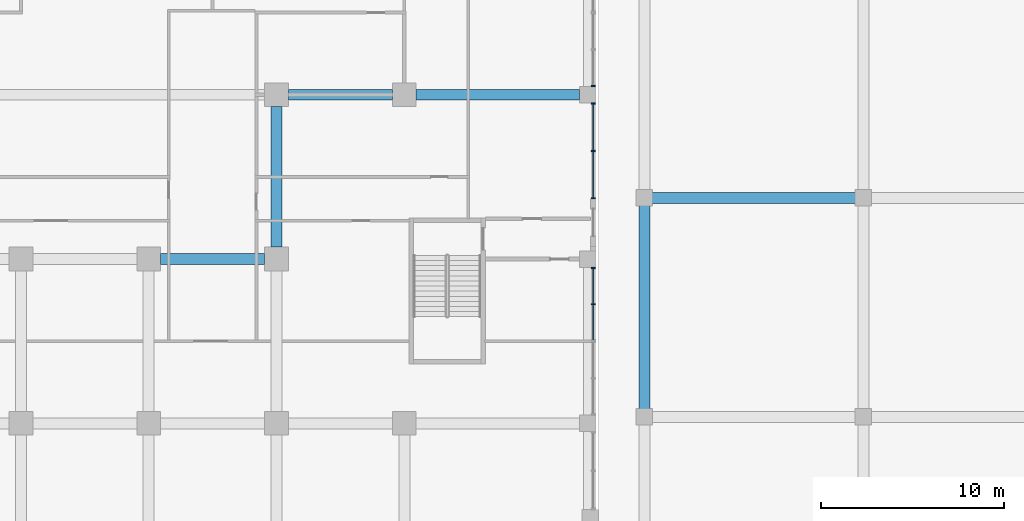
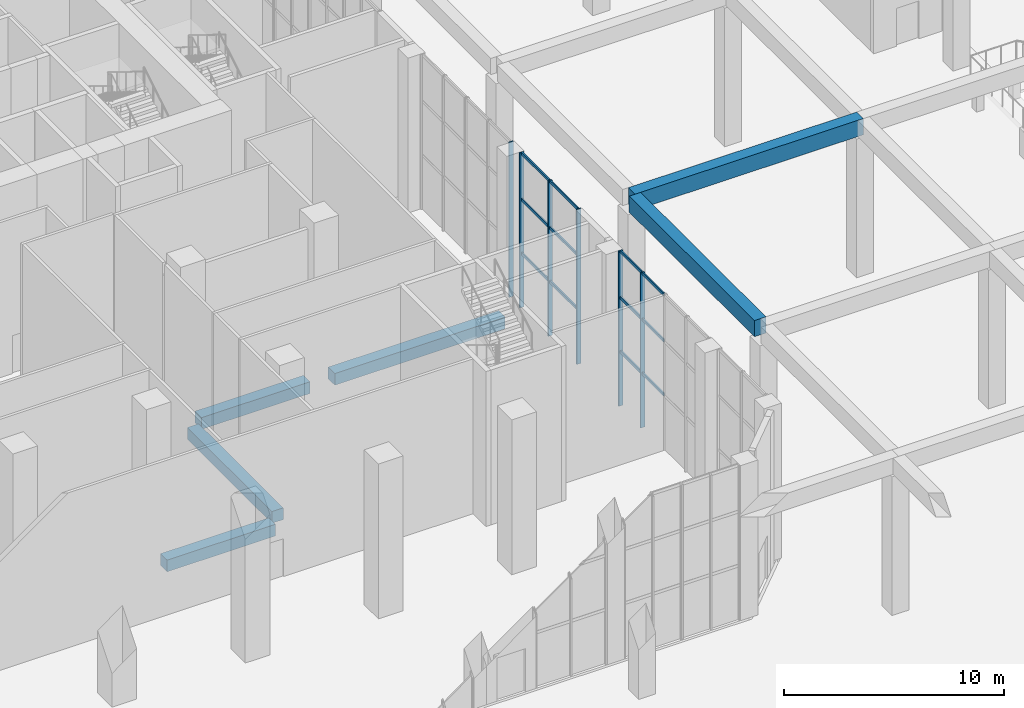
# One storey, part 8 of 43: 18 members, 6 beams, 3 elements without a shape of their own.
"""IFC4 building model written with IfcOpenShell, lengths in metres."""

import ifcopenshell
import ifcopenshell.guid

model = None  # the IFC model being written
_history = None  # IfcOwnerHistory: only IFC2X3 demands one
_inside = {}  # id of a spatial element -> (the spatial element, [elements in it])
_under = {}  # id of a project, library or spatial element -> (it, [spatial elements below it])
_declared = {}  # id of a project -> (the project, [libraries it declares])
_typed = {}  # id of a type object -> (the type object, [elements of that type])
_made_of = {}  # id of a material, layer set ... -> (it, [elements and type objects made of it])


def new_model(schema):
    """Start an empty IFC model of exactly this schema.

    Asked for "IFC4X3", IfcOpenShell would pick the latest addendum, in which some entities
    have other attributes; the version numbers below select the first issue.
    IFC2X3 requires an IfcOwnerHistory on every rooted entity: one is made here for all.
    """
    global model, _history
    if schema == "IFC4X3":
        model = ifcopenshell.file(schema_version=(4, 3, 0, 0))
    else:
        model = ifcopenshell.file(schema=schema)
    _inside.clear()
    _under.clear()
    _declared.clear()
    _typed.clear()
    _made_of.clear()
    _history = None
    if model.schema == "IFC2X3":
        org = make("IfcOrganization", Name="unknown")
        user = make(
            "IfcPersonAndOrganization",
            ThePerson=make("IfcPerson", FamilyName="unknown"),
            TheOrganization=org,
        )
        app = make(
            "IfcApplication",
            ApplicationDeveloper=org,
            Version="unknown",
            ApplicationFullName="unknown",
            ApplicationIdentifier="unknown",
        )
        _history = make(
            "IfcOwnerHistory",
            OwningUser=user,
            OwningApplication=app,
            ChangeAction="ADDED",
            CreationDate=0,
        )
    return model


def make(cls, **values):
    """One entity of the class cls with the attributes given. An attribute that is None is left unset."""
    return model.create_entity(
        cls, **{name: value for name, value in values.items() if value is not None}
    )


def rooted(cls, **values):
    """An entity with a GlobalId (a new one), such as an element, a storey or a relation."""
    return make(cls, GlobalId=ifcopenshell.guid.new(), OwnerHistory=_history, **values)


def si_unit(unit_type, name, prefix=None):
    """IfcSIUnit, for example si_unit("LENGTHUNIT", "METRE", prefix="MILLI")."""
    return make("IfcSIUnit", UnitType=unit_type, Prefix=prefix, Name=name)


def assignment(units):
    """IfcUnitAssignment: the units of a project."""
    return None if units is None else make("IfcUnitAssignment", Units=units)


def point(xyz):
    """IfcCartesianPoint."""
    return None if xyz is None else make("IfcCartesianPoint", Coordinates=xyz)


def direction(xyz):
    """IfcDirection."""
    return None if xyz is None else make("IfcDirection", DirectionRatios=xyz)


def frame(location, z_axis=None, x_axis=None):
    """IfcAxis2Placement3D, a coordinate frame: its origin and axes. An axis left out is left unset."""
    return make(
        "IfcAxis2Placement3D",
        Location=point(location),
        Axis=direction(z_axis),
        RefDirection=direction(x_axis),
    )


def frame_2d(location, x_axis=None):
    """IfcAxis2Placement2D, a coordinate frame in the plane: its origin and x axis."""
    return make(
        "IfcAxis2Placement2D", Location=point(location), RefDirection=direction(x_axis)
    )


def origin():
    """The frame at (0, 0, 0) with its axes left unset."""
    return frame((0.0, 0.0, 0.0))


def origin_2d():
    """The frame at (0, 0) in the plane with its x axis left unset."""
    return frame_2d((0.0, 0.0))


def place(relative_to, where):
    """IfcLocalPlacement: puts the frame where relative to a parent placement (None: the world)."""
    return make(
        "IfcLocalPlacement", PlacementRelTo=relative_to, RelativePlacement=where
    )


def context(
    kind, dimensions, precision=None, world=None, true_north=None, identifier=None
):
    """IfcGeometricRepresentationContext, for example the 3D "Model" context."""
    return make(
        "IfcGeometricRepresentationContext",
        ContextIdentifier=identifier,
        ContextType=kind,
        CoordinateSpaceDimension=dimensions,
        Precision=precision,
        WorldCoordinateSystem=world,
        TrueNorth=true_north,
    )


def subcontext(parent, identifier, kind, view, scale=None):
    """IfcGeometricRepresentationSubContext, for example "Body" below "Model"."""
    return make(
        "IfcGeometricRepresentationSubContext",
        ContextIdentifier=identifier,
        ContextType=kind,
        ParentContext=parent,
        TargetScale=scale,
        TargetView=view,
    )


def project(units=None, contexts=None):
    """IfcProject with its units and contexts."""
    return rooted(
        "IfcProject",
        Name="project",
        RepresentationContexts=contexts,
        UnitsInContext=assignment(units),
    )


def spatial(cls, under=None, at=None, **own):
    """A site, building, storey or space (cls), placed at a placement, below another one or the project."""
    s = rooted(cls, ObjectPlacement=at, **own)
    if under is not None:
        _under.setdefault(under.id(), (under, []))[1].append(s)
    return s


def profile(cls, at=None, kind="AREA", **sizes):
    """A parametric profile (cls). Its sizes go by their IFC names, for example OverallWidth=200.0."""
    return make(cls, ProfileType=kind, Position=at, **sizes)


def rectangle(**sizes):
    """IfcRectangleProfileDef."""
    return profile("IfcRectangleProfileDef", **sizes)


def extrude(swept, where, along, depth):
    """IfcExtrudedAreaSolid: the profile swept, set in the frame where, extruded along a direction by depth."""
    return make(
        "IfcExtrudedAreaSolid",
        SweptArea=swept,
        Position=where,
        ExtrudedDirection=direction(along),
        Depth=depth,
    )


def shape(context_of_items, identifier, shape_type, items):
    """IfcShapeRepresentation: the items that make up one representation, for example the "Body"."""
    return make(
        "IfcShapeRepresentation",
        ContextOfItems=context_of_items,
        RepresentationIdentifier=identifier,
        RepresentationType=shape_type,
        Items=items,
    )


def source(mapping_origin, context_of_items, identifier, shape_type, items):
    """IfcRepresentationMap: a shape defined once, which mapped items show again and again."""
    return make(
        "IfcRepresentationMap",
        MappingOrigin=mapping_origin,
        MappedRepresentation=shape(context_of_items, identifier, shape_type, items),
    )


def transform(
    local_origin,
    x_axis=None,
    y_axis=None,
    z_axis=None,
    scale=None,
    scale2=None,
    scale3=None,
    uniform=True,
):
    """IfcCartesianTransformationOperator3D, or its non-uniform kind. x_axis, y_axis, z_axis: its Axis1, 2, 3."""
    if uniform:
        return make(
            "IfcCartesianTransformationOperator3D",
            Axis1=direction(x_axis),
            Axis2=direction(y_axis),
            LocalOrigin=point(local_origin),
            Scale=scale,
            Axis3=direction(z_axis),
        )
    return make(
        "IfcCartesianTransformationOperator3DnonUniform",
        Axis1=direction(x_axis),
        Axis2=direction(y_axis),
        LocalOrigin=point(local_origin),
        Scale=scale,
        Axis3=direction(z_axis),
        Scale2=scale2,
        Scale3=scale3,
    )


def mapped(mapping_source, mapping_target):
    """IfcMappedItem: shows the shape of a source again, moved by a transform."""
    return make(
        "IfcMappedItem", MappingSource=mapping_source, MappingTarget=mapping_target
    )


def material(Name=None, Category=None):
    """IfcMaterial."""
    return make("IfcMaterial", Name=Name, Category=Category)


def material_profile(
    of_material, cross_section, Name=None, Category=None, Priority=None
):
    """IfcMaterialProfile: a cross section and its material."""
    return make(
        "IfcMaterialProfile",
        Name=Name,
        Material=of_material,
        Profile=cross_section,
        Priority=Priority,
        Category=Category,
    )


def profile_set(profiles, Name=None, composite=None):
    """IfcMaterialProfileSet."""
    return make(
        "IfcMaterialProfileSet",
        Name=Name,
        MaterialProfiles=profiles,
        CompositeProfile=composite,
    )


def made_of(thing, what):
    """Note that an element or type object is made of a material, layer set ...; save() writes the relation."""
    if what is not None:
        _made_of.setdefault(what.id(), (what, []))[1].append(thing)
    return thing


def type_object(cls, material=None, **own):
    """A type object (cls), such as IfcWallType, which elements share."""
    return made_of(rooted(cls, **own), material)


def element(
    cls,
    number,
    at=None,
    inside=None,
    cuts=None,
    type_object=None,
    material=None,
    context=None,
    identifier="Body",
    shape_type=None,
    held_by="IfcProductDefinitionShape",
    body=None,
    shapes=None,
    **own,
):
    """One element of the class cls, such as IfcWall. Its Tag is "e" and its number.

    at: its placement. inside: the storey or other place that contains it. cuts: it is an
    opening in that element (IfcRelVoidsElement). A single representation is given by context,
    identifier, shape_type and body (its items); several are given by shapes. held_by: the class
    of the entity that holds the representations. save() writes the other relations.
    """
    e = rooted(cls, Tag="e%d" % number, ObjectPlacement=at, **own)
    if body is not None:
        shapes = [shape(context, identifier, shape_type, body)]
    if shapes is not None:
        e.Representation = make(held_by, Representations=shapes)
    if inside is not None:
        _inside.setdefault(inside.id(), (inside, []))[1].append(e)
    if cuts is not None:
        rooted(
            "IfcRelVoidsElement", RelatingBuildingElement=cuts, RelatedOpeningElement=e
        )
    if type_object is not None:
        _typed.setdefault(type_object.id(), (type_object, []))[1].append(e)
    return made_of(e, material)


def aggregate(whole, parts):
    """IfcRelAggregates: a whole, such as a stair, and the parts it consists of."""
    return rooted("IfcRelAggregates", RelatingObject=whole, RelatedObjects=parts)


def save(model, path):
    """Write the relations noted so far, then the file.

    IfcRelAggregates (storeys below a building ...), IfcRelContainedInSpatialStructure (elements
    in a storey), IfcRelDefinesByType, IfcRelAssociatesMaterial and IfcRelDeclares: one each for
    every whole, place, type object, material and project.
    """
    for whole, parts in _under.values():
        aggregate(whole, parts)
    for where, things in _inside.values():
        rooted(
            "IfcRelContainedInSpatialStructure",
            RelatedElements=things,
            RelatingStructure=where,
        )
    for kind, things in _typed.values():
        rooted("IfcRelDefinesByType", RelatedObjects=things, RelatingType=kind)
    for what, things in _made_of.values():
        rooted("IfcRelAssociatesMaterial", RelatedObjects=things, RelatingMaterial=what)
    for by, libraries in _declared.values():
        rooted("IfcRelDeclares", RelatingContext=by, RelatedDefinitions=libraries)
    model.write(path)


model = new_model("IFC4")

# Units and contexts
model_context = context("Model", 3, precision=1e-05, world=origin(), true_north=direction((0.0, 1.0)))
body_context = subcontext(model_context, "Body", "Model", "MODEL_VIEW")
ifc_project = project(units=[si_unit("LENGTHUNIT", "METRE"), si_unit("AREAUNIT", "SQUARE_METRE"), si_unit("VOLUMEUNIT", "CUBIC_METRE"), si_unit("PLANEANGLEUNIT", "RADIAN"), si_unit("MASSUNIT", "GRAM", prefix="KILO")], contexts=[model_context])

# Site, building, storey
site_placement = place(None, origin())
site = spatial("IfcSite", under=ifc_project, at=site_placement, CompositionType="ELEMENT")
building_placement = place(site_placement, origin())
building = spatial("IfcBuilding", under=site, at=building_placement, Name="Kilnfold Tower and Market Hall", CompositionType="ELEMENT")
storey_placement = place(building_placement, origin())
storey = spatial("IfcBuildingStorey", under=building, at=storey_placement, Name="L00", CompositionType="ELEMENT", Elevation=0.0)

# Beams
ifc_material_1 = material(Name="Concrete C45", Category="concrete")
ifc_material_profile_1 = material_profile(ifc_material_1, rectangle(XDim=0.60009765625, YDim=0.64990234375, at=origin_2d()), Name="RC 600x650")
ifc_profile_set_1 = profile_set([ifc_material_profile_1], Name="Concrete C45")
beam_type_1 = type_object("IfcBeamType", Name="BEAM 600X650 C45", PredefinedType="BEAM", material=ifc_profile_set_1)
shared_shape_1 = source(origin(), body_context, "Body", "SweptSolid", [
    extrude(rectangle(XDim=0.60009765625, YDim=0.64990234375, at=origin_2d()), origin(), (0.0, 0.0, 1.0), 8.9501953125),
])
beam_1_placement = place(storey_placement, frame((18.14990234375, -1.0, -0.735107421875), z_axis=(1.0, 0.0, 0.0), x_axis=(0.0, 1.0, 0.0)))
element("IfcBeam", 1, at=beam_1_placement, inside=storey, type_object=beam_type_1, Name="Beam BB650-B1.20", PredefinedType="BEAM", context=body_context, shape_type="MappedRepresentation", body=[
    mapped(shared_shape_1, transform((0.0, 0.0, 0.0))),
])
shared_shape_2 = source(origin(), body_context, "Body", "SweptSolid", [
    extrude(rectangle(XDim=0.60009765625, YDim=0.64990234375, at=origin_2d()), origin(), (0.0, 0.0, 1.0), 5.7001953125),
])
for number, where, z_axis, x_axis, name in (
    (2, (4.14990234375, -10.0, -0.735107421875), (1.0, 0.0, 0.0), (0.0, 1.0, 0.0), "Beam BB650-B1.15"),
    (3, (11.14990234375, -1.0, -0.735107421875), (1.0, 0.0, 0.0), (0.0, 1.0, 0.0), "Beam BB650-B1.19"),
):
    element("IfcBeam", number, at=place(storey_placement, frame(where, z_axis=z_axis, x_axis=x_axis)), inside=storey, type_object=beam_type_1, Name=name, PredefinedType="BEAM", context=body_context, shape_type="MappedRepresentation", body=[
        mapped(shared_shape_2, transform((0.0, 0.0, 0.0))),
    ])
shared_shape_3 = source(origin(), body_context, "Body", "SweptSolid", [
    extrude(rectangle(XDim=0.60009765625, YDim=0.64990234375, at=origin_2d()), origin(), (0.0, 0.0, 1.0), 7.7001953125),
])
beam_2_placement = place(storey_placement, frame((10.5, -9.35009765625, -0.735107421875), z_axis=(0.0, 1.0, 0.0), x_axis=(-1.0, 0.0, 0.0)))
element("IfcBeam", 4, at=beam_2_placement, inside=storey, type_object=beam_type_1, Name="Beam BB650-B1.49", PredefinedType="BEAM", context=body_context, shape_type="MappedRepresentation", body=[
    mapped(shared_shape_3, transform((0.0, 0.0, 0.0))),
])
ifc_material_2 = material(Name="Concrete C40/50", Category="concrete")
ifc_material_profile_2 = material_profile(ifc_material_2, rectangle(XDim=0.60009765625, YDim=0.89990234375, at=origin_2d()), Name="RC 600x900")
ifc_profile_set_2 = profile_set([ifc_material_profile_2], Name="Concrete C40/50")
beam_type_2 = type_object("IfcBeamType", Name="DECK GIRDER 600X900", PredefinedType="BEAM", material=ifc_profile_set_2)
shared_shape_4 = source(origin(), body_context, "Body", "SweptSolid", [
    extrude(rectangle(XDim=0.60009765625, YDim=0.89990234375, at=origin_2d()), origin(), (0.0, 0.0, 1.0), 12.0),
])
beam_3_placement = place(storey_placement, frame((30.64990234375, -6.64990234375, 8.14990234375), z_axis=(1.0, 0.0, 0.0), x_axis=(0.0, 1.0, 0.0)))
element("IfcBeam", 5, at=beam_3_placement, inside=storey, type_object=beam_type_2, Name="Deck girder DG1-15", PredefinedType="BEAM", context=body_context, shape_type="MappedRepresentation", body=[
    mapped(shared_shape_4, transform((0.0, 0.0, 0.0))),
])
shared_shape_5 = source(origin(), body_context, "Body", "SweptSolid", [
    extrude(rectangle(XDim=0.60009765625, YDim=0.89990234375, at=origin_2d()), origin(), (0.0, 0.0, 1.0), 11.400146484375),
])
beam_4_placement = place(storey_placement, frame((30.64990234375, -18.35009765625, 8.14990234375), z_axis=(0.0, 1.0, 0.0), x_axis=(-1.0, 0.0, 0.0)))
element("IfcBeam", 6, at=beam_4_placement, inside=storey, type_object=beam_type_2, Name="Deck girder DG1-27", PredefinedType="BEAM", context=body_context, shape_type="MappedRepresentation", body=[
    mapped(shared_shape_5, transform((0.0, 0.0, 0.0))),
])

# Curtain wall, members
ifc_material_3 = material(Name="Aluminium and double glazing", Category="aluminium")
curtain_wall_type = type_object("IfcCurtainWallType", Name="CW BASE PODIUM GLAZING", PredefinedType="NOTDEFINED", material=ifc_material_3)
curtain_wall_1_placement = place(storey_placement, origin())
curtain_wall_1 = element("IfcCurtainWall", 7, at=curtain_wall_1_placement, inside=storey, type_object=curtain_wall_type, Name="Curtain wall CW4 L00 E", PredefinedType="NOTDEFINED")
ifc_material_4 = material(Name="Aluminium", Category="aluminium")
ifc_material_profile_3 = material_profile(ifc_material_4, rectangle(XDim=0.070068359375, YDim=0.219970703125, at=origin_2d()), Name="MULLION 70x220")
ifc_profile_set_3 = profile_set([ifc_material_profile_3], Name="Aluminium")
member_type_1 = type_object("IfcMemberType", Name="MULLION 70X220", PredefinedType="MULLION", material=ifc_profile_set_3)
shared_shape_6 = source(origin(), body_context, "Body", "SweptSolid", [
    extrude(rectangle(XDim=0.070068359375, YDim=0.219970703125, at=origin_2d()), origin(), (0.0, 0.0, 1.0), 8.60009765625),
])
member_1_placement = place(storey_placement, frame((27.85009765625, -12.47509765625, 0.0), z_axis=(0.0, 0.0, 1.0), x_axis=(0.0, 1.0, 0.0)))
member_1 = element("IfcMember", 8, at=member_1_placement, type_object=member_type_1, Name="CW4 mullion 2", PredefinedType="MULLION", context=body_context, shape_type="MappedRepresentation", body=[
    mapped(shared_shape_6, transform((0.0, 0.0, 0.0))),
])
member_2_placement = place(storey_placement, frame((27.85009765625, -10.485107421875, 0.0), z_axis=(0.0, 0.0, 1.0), x_axis=(0.0, 1.0, 0.0)))
member_2 = element("IfcMember", 9, at=member_2_placement, type_object=member_type_1, Name="CW4 mullion 3", PredefinedType="MULLION", context=body_context, shape_type="MappedRepresentation", body=[
    mapped(shared_shape_6, transform((0.0, 0.0, 0.0))),
])

curtain_wall_2_placement = place(storey_placement, origin())
curtain_wall_2 = element("IfcCurtainWall", 10, at=curtain_wall_2_placement, inside=storey, type_object=curtain_wall_type, Name="Curtain wall CW4 L00 E", PredefinedType="NOTDEFINED")
member_3_placement = place(storey_placement, frame((27.85009765625, -6.6650390625, 0.0), z_axis=(0.0, 0.0, 1.0), x_axis=(0.0, 1.0, 0.0)))
member_3 = element("IfcMember", 11, at=member_3_placement, type_object=member_type_1, Name="CW4 mullion 1", PredefinedType="MULLION", context=body_context, shape_type="MappedRepresentation", body=[
    mapped(shared_shape_6, transform((0.0, 0.0, 0.0))),
])
member_4_placement = place(storey_placement, frame((27.85009765625, -4.074951171875, 0.0), z_axis=(0.0, 0.0, 1.0), x_axis=(0.0, 1.0, 0.0)))
member_4 = element("IfcMember", 12, at=member_4_placement, type_object=member_type_1, Name="CW4 mullion 2", PredefinedType="MULLION", context=body_context, shape_type="MappedRepresentation", body=[
    mapped(shared_shape_6, transform((0.0, 0.0, 0.0))),
])
member_5_placement = place(storey_placement, frame((27.85009765625, -1.485107421875, 0.0), z_axis=(0.0, 0.0, 1.0), x_axis=(0.0, 1.0, 0.0)))
member_5 = element("IfcMember", 13, at=member_5_placement, type_object=member_type_1, Name="CW4 mullion 3", PredefinedType="MULLION", context=body_context, shape_type="MappedRepresentation", body=[
    mapped(shared_shape_6, transform((0.0, 0.0, 0.0))),
])

# Curtain wall, member
curtain_wall_3_placement = place(storey_placement, origin())
curtain_wall_3 = element("IfcCurtainWall", 14, at=curtain_wall_3_placement, inside=storey, type_object=curtain_wall_type, Name="Curtain wall CW4 L00 E", PredefinedType="NOTDEFINED")
member_6_placement = place(storey_placement, frame((27.85009765625, -0.514892578125, 0.0), z_axis=(0.0, 0.0, 1.0), x_axis=(0.0, 1.0, 0.0)))
member_6 = element("IfcMember", 15, at=member_6_placement, type_object=member_type_1, Name="CW4 mullion 1", PredefinedType="MULLION", context=body_context, shape_type="MappedRepresentation", body=[
    mapped(shared_shape_6, transform((0.0, 0.0, 0.0))),
])
aggregate(curtain_wall_3, [member_6])

# Member
ifc_material_5 = material(Name="Aluminium", Category="aluminium")
ifc_material_profile_4 = material_profile(ifc_material_5, rectangle(XDim=0.070068359375, YDim=0.159912109375, at=origin_2d()), Name="TRANSOM 70x160")
ifc_profile_set_4 = profile_set([ifc_material_profile_4], Name="Aluminium")
member_type_2 = type_object("IfcMemberType", Name="TRANSOM 70X160", PredefinedType="USERDEFINED", material=ifc_profile_set_4)
shared_shape_7 = source(origin(), body_context, "Body", "SweptSolid", [
    extrude(rectangle(XDim=0.070068359375, YDim=0.159912109375, at=origin_2d()), origin(), (0.0, 0.0, 1.0), 1.919921875),
])
member_7_placement = place(storey_placement, frame((27.85009765625, -14.429931640625, 3.0), z_axis=(0.0, 1.0, 0.0), x_axis=(-1.0, 0.0, 0.0)))
member_7 = element("IfcMember", 16, at=member_7_placement, type_object=member_type_2, Name="CW4 transom 1.2", ObjectType="TRANSOM", PredefinedType="USERDEFINED", context=body_context, shape_type="MappedRepresentation", body=[
    mapped(shared_shape_7, transform((0.0, 0.0, 0.0))),
])

member_8_placement = place(storey_placement, frame((27.85009765625, -14.429931640625, 6.0), z_axis=(0.0, 1.0, 0.0), x_axis=(-1.0, 0.0, 0.0)))
member_8 = element("IfcMember", 17, at=member_8_placement, type_object=member_type_2, Name="CW4 transom 1.3", ObjectType="TRANSOM", PredefinedType="USERDEFINED", context=body_context, shape_type="MappedRepresentation", body=[
    mapped(shared_shape_7, transform((0.0, 0.0, 0.0))),
])

member_9_placement = place(storey_placement, frame((27.85009765625, -14.429931640625, 8.56494140625), z_axis=(0.0, 1.0, 0.0), x_axis=(-1.0, 0.0, 0.0)))
member_9 = element("IfcMember", 18, at=member_9_placement, type_object=member_type_2, Name="CW4 transom 1.4", ObjectType="TRANSOM", PredefinedType="USERDEFINED", context=body_context, shape_type="MappedRepresentation", body=[
    mapped(shared_shape_7, transform((0.0, 0.0, 0.0))),
])

member_10_placement = place(storey_placement, frame((27.85009765625, -12.43994140625, 3.0), z_axis=(0.0, 1.0, 0.0), x_axis=(-1.0, 0.0, 0.0)))
member_10 = element("IfcMember", 19, at=member_10_placement, type_object=member_type_2, Name="CW4 transom 2.2", ObjectType="TRANSOM", PredefinedType="USERDEFINED", context=body_context, shape_type="MappedRepresentation", body=[
    mapped(shared_shape_7, transform((0.0, 0.0, 0.0))),
])

member_11_placement = place(storey_placement, frame((27.85009765625, -12.43994140625, 6.0), z_axis=(0.0, 1.0, 0.0), x_axis=(-1.0, 0.0, 0.0)))
member_11 = element("IfcMember", 20, at=member_11_placement, type_object=member_type_2, Name="CW4 transom 2.3", ObjectType="TRANSOM", PredefinedType="USERDEFINED", context=body_context, shape_type="MappedRepresentation", body=[
    mapped(shared_shape_7, transform((0.0, 0.0, 0.0))),
])

member_12_placement = place(storey_placement, frame((27.85009765625, -12.43994140625, 8.56494140625), z_axis=(0.0, 1.0, 0.0), x_axis=(-1.0, 0.0, 0.0)))
member_12 = element("IfcMember", 21, at=member_12_placement, type_object=member_type_2, Name="CW4 transom 2.4", ObjectType="TRANSOM", PredefinedType="USERDEFINED", context=body_context, shape_type="MappedRepresentation", body=[
    mapped(shared_shape_7, transform((0.0, 0.0, 0.0))),
])

aggregate(curtain_wall_1, [member_1, member_2, member_7, member_8, member_9, member_10, member_11, member_12])

shared_shape_8 = source(origin(), body_context, "Body", "SweptSolid", [
    extrude(rectangle(XDim=0.070068359375, YDim=0.159912109375, at=origin_2d()), origin(), (0.0, 0.0, 1.0), 2.519775390625),
])
member_13_placement = place(storey_placement, frame((27.85009765625, -6.6298828125, 3.0), z_axis=(0.0, 1.0, 0.0), x_axis=(-1.0, 0.0, 0.0)))
member_13 = element("IfcMember", 22, at=member_13_placement, type_object=member_type_2, Name="CW4 transom 1.2", ObjectType="TRANSOM", PredefinedType="USERDEFINED", context=body_context, shape_type="MappedRepresentation", body=[
    mapped(shared_shape_8, transform((0.0, 0.0, 0.0))),
])

member_14_placement = place(storey_placement, frame((27.85009765625, -6.6298828125, 6.0), z_axis=(0.0, 1.0, 0.0), x_axis=(-1.0, 0.0, 0.0)))
member_14 = element("IfcMember", 23, at=member_14_placement, type_object=member_type_2, Name="CW4 transom 1.3", ObjectType="TRANSOM", PredefinedType="USERDEFINED", context=body_context, shape_type="MappedRepresentation", body=[
    mapped(shared_shape_8, transform((0.0, 0.0, 0.0))),
])

member_15_placement = place(storey_placement, frame((27.85009765625, -6.6298828125, 8.56494140625), z_axis=(0.0, 1.0, 0.0), x_axis=(-1.0, 0.0, 0.0)))
member_15 = element("IfcMember", 24, at=member_15_placement, type_object=member_type_2, Name="CW4 transom 1.4", ObjectType="TRANSOM", PredefinedType="USERDEFINED", context=body_context, shape_type="MappedRepresentation", body=[
    mapped(shared_shape_8, transform((0.0, 0.0, 0.0))),
])

shared_shape_9 = source(origin(), body_context, "Body", "SweptSolid", [
    extrude(rectangle(XDim=0.070068359375, YDim=0.159912109375, at=origin_2d()), origin(), (0.0, 0.0, 1.0), 2.52001953125),
])
member_16_placement = place(storey_placement, frame((27.85009765625, -4.0400390625, 3.0), z_axis=(0.0, 1.0, 0.0), x_axis=(-1.0, 0.0, 0.0)))
member_16 = element("IfcMember", 25, at=member_16_placement, type_object=member_type_2, Name="CW4 transom 2.2", ObjectType="TRANSOM", PredefinedType="USERDEFINED", context=body_context, shape_type="MappedRepresentation", body=[
    mapped(shared_shape_9, transform((0.0, 0.0, 0.0))),
])

member_17_placement = place(storey_placement, frame((27.85009765625, -4.0400390625, 6.0), z_axis=(0.0, 1.0, 0.0), x_axis=(-1.0, 0.0, 0.0)))
member_17 = element("IfcMember", 26, at=member_17_placement, type_object=member_type_2, Name="CW4 transom 2.3", ObjectType="TRANSOM", PredefinedType="USERDEFINED", context=body_context, shape_type="MappedRepresentation", body=[
    mapped(shared_shape_9, transform((0.0, 0.0, 0.0))),
])

member_18_placement = place(storey_placement, frame((27.85009765625, -4.0400390625, 8.56494140625), z_axis=(0.0, 1.0, 0.0), x_axis=(-1.0, 0.0, 0.0)))
member_18 = element("IfcMember", 27, at=member_18_placement, type_object=member_type_2, Name="CW4 transom 2.4", ObjectType="TRANSOM", PredefinedType="USERDEFINED", context=body_context, shape_type="MappedRepresentation", body=[
    mapped(shared_shape_9, transform((0.0, 0.0, 0.0))),
])

aggregate(curtain_wall_2, [member_3, member_4, member_5, member_13, member_14, member_15, member_16, member_17, member_18])

save(model, "model.ifc")
